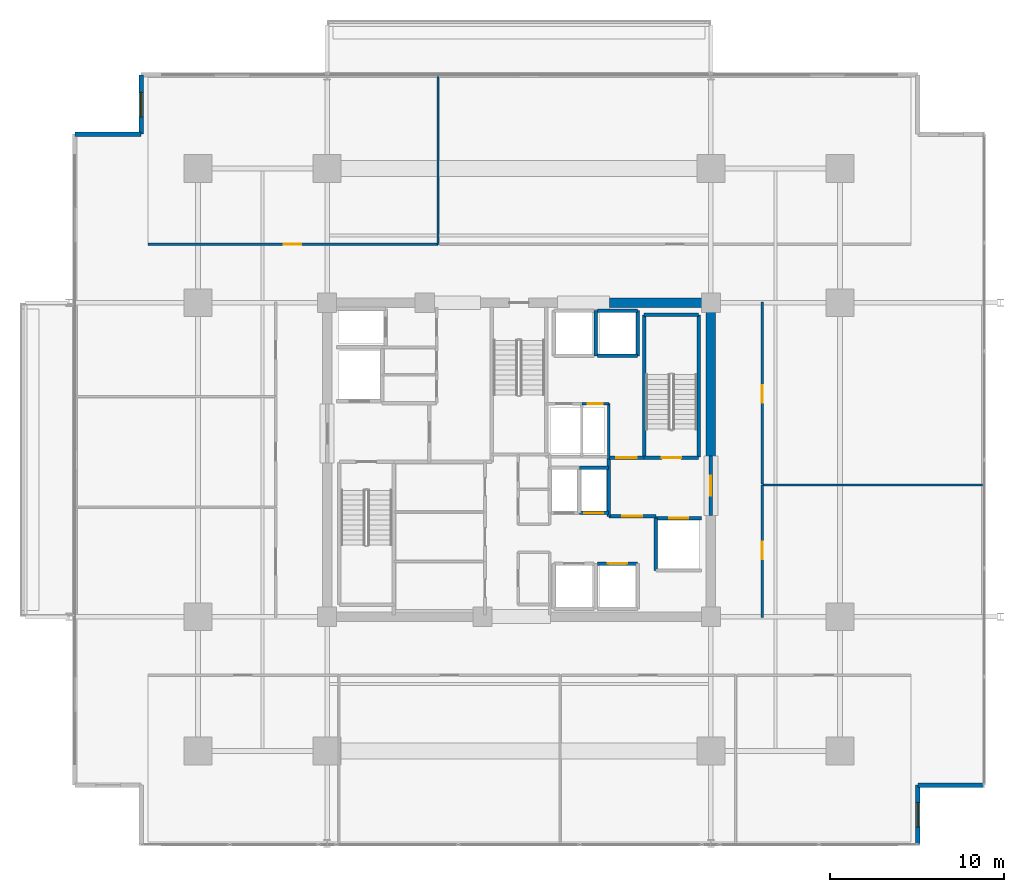
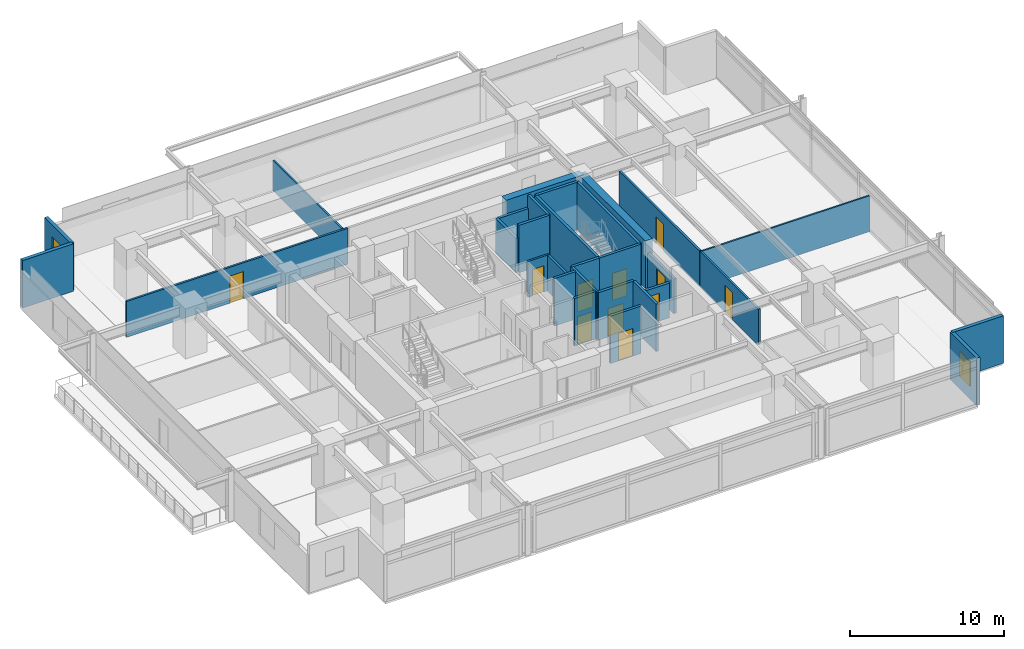
# One storey, part 15 of 20: 30 walls, 11 doors, 2 windows, 13 openings.
"""IFC4 building model written with IfcOpenShell, lengths in metres."""

from ifc_helpers import new_model, si_unit, direction, frame, frame_2d, origin, place, context, subcontext, project, spatial, rectangle, extrude, material, layer, layer_set, type_object, element, fill, save


model = new_model("IFC4")

# Units and contexts
model_context = context("Model", 3, precision=1e-05, world=origin(), true_north=direction((0.0, 1.0)))
body_context = subcontext(model_context, "Body", "Model", "MODEL_VIEW")
ifc_project = project(units=[si_unit("LENGTHUNIT", "METRE"), si_unit("AREAUNIT", "SQUARE_METRE"), si_unit("VOLUMEUNIT", "CUBIC_METRE"), si_unit("PLANEANGLEUNIT", "RADIAN"), si_unit("MASSUNIT", "GRAM", prefix="KILO")], contexts=[model_context])

# Site, building, storey
site_placement = place(None, origin())
site = spatial("IfcSite", under=ifc_project, at=site_placement, CompositionType="ELEMENT")
building_placement = place(site_placement, origin())
building = spatial("IfcBuilding", under=site, at=building_placement, Name="Kovane Verandah Tower", CompositionType="ELEMENT")
storey_placement = place(building_placement, frame((0.0, 0.0, 160.39990234375)))
storey = spatial("IfcBuildingStorey", under=building, at=storey_placement, Name="L37", CompositionType="ELEMENT", Elevation=160.39990234375)

# Wall
ifc_material_1 = material(Name="Fire-Rated Gypsum Stud Partition", Category="gypsum")
ifc_layer_1 = layer(ifc_material_1, 0.14990234375)
ifc_layer_set_1 = layer_set([ifc_layer_1], Name="Fire-Rated Gypsum Stud Partition")
wall_type_1 = type_object("IfcWallType", Name="WL-COR-150", PredefinedType="PARTITIONING", material=ifc_layer_set_1)
wall_1_placement = place(storey_placement, frame((45.14990234375, 27.6201171875, 0.0), z_axis=(0.0, 0.0, 1.0), x_axis=(0.0, 1.0, 0.0)))
element("IfcWall", 1, at=wall_1_placement, inside=storey, type_object=wall_type_1, Name="L37 East Core Service Riser East Wall", PredefinedType="PARTITIONING", context=body_context, shape_type="SweptSolid", body=[
    extrude(rectangle(XDim=3.099853515625, YDim=0.14990234375, at=frame_2d((1.5498046875, 0.0))), origin(), (0.0, 0.0, 1.0), 2.85009765625),
])

# Wall, opening, door
wall_2_placement = place(storey_placement, frame((43.60009765625, 30.719970703125, 0.0), z_axis=(0.0, 0.0, 1.0), x_axis=(1.0, 0.0, 0.0)))
wall_2 = element("IfcWall", 2, at=wall_2_placement, inside=storey, type_object=wall_type_1, Name="L37 Sprinkler Wet Riser Room Partition", PredefinedType="PARTITIONING", context=body_context, shape_type="SweptSolid", body=[
    extrude(rectangle(XDim=1.5498046875, YDim=0.14990234375, at=frame_2d((0.77490234375, 0.0))), origin(), (0.0, 0.0, 1.0), 2.85009765625),
])
opening_1_placement = place(wall_2_placement, frame((0.3349609375, 0.0, 0.0)))
opening_1 = element("IfcOpeningElement", 3, at=opening_1_placement, cuts=wall_2, Name="Opening DR-L37-019", PredefinedType="OPENING", context=body_context, shape_type="SweptSolid", body=[
    extrude(rectangle(XDim=0.8798828125, YDim=2.10009765625, at=frame_2d((0.43994140625, 1.050048828125))), frame((0.0, 0.074951171875, 0.0), z_axis=(0.0, -1.0, 0.0), x_axis=(1.0, 0.0, 0.0)), (0.0, 0.0, 1.0), 0.14990234375),
])
ifc_material_2 = material(Name="Fire-Rated Steel Riser Access Door", Category="steel")
door_type_1 = type_object("IfcDoorType", Name="DR-RISER-880", OperationType="SINGLE_SWING_LEFT", PredefinedType="DOOR", material=ifc_material_2)
door_1_placement = place(opening_1_placement, origin())
door_1 = element("IfcDoor", 4, at=door_1_placement, inside=storey, type_object=door_type_1, Name="L37 Sprinkler Wet Riser Room Door", OperationType="SINGLE_SWING_LEFT", OverallHeight=2.10009765625, OverallWidth=0.8798828125, PredefinedType="DOOR", context=body_context, shape_type="SweptSolid", body=[
    extrude(rectangle(XDim=0.8798828125, YDim=2.10009765625, at=frame_2d((0.43994140625, 1.050048828125))), frame((0.0, 0.02490234375, 0.0), z_axis=(0.0, -1.0, 0.0), x_axis=(1.0, 0.0, 0.0)), (0.0, 0.0, 1.0), 0.050048828125),
])
fill(opening_1, door_1)

wall_3_placement = place(storey_placement, frame((18.740966796875, 39.85009765625, 0.0), z_axis=(0.0, 0.0, 1.0), x_axis=(1.0, 0.0, 0.0)))
wall_3 = element("IfcWall", 5, at=wall_3_placement, inside=storey, type_object=wall_type_1, Name="L37 Focus Studio N1 Corridor Partition", PredefinedType="PARTITIONING", context=body_context, shape_type="SweptSolid", body=[
    extrude(rectangle(XDim=16.617919921875, YDim=0.14990234375, at=frame_2d((8.30908203125, 0.0))), origin(), (0.0, 0.0, 1.0), 2.85009765625),
])
opening_2_placement = place(wall_3_placement, frame((7.77392578125, 0.0, 0.0)))
opening_2 = element("IfcOpeningElement", 6, at=opening_2_placement, cuts=wall_3, Name="Opening DR-L37-020", PredefinedType="OPENING", context=body_context, shape_type="SweptSolid", body=[
    extrude(rectangle(XDim=1.0, YDim=2.14990234375, at=frame_2d((0.5, 1.074951171875))), frame((0.0, 0.074951171875, 0.0), z_axis=(0.0, -1.0, 0.0), x_axis=(1.0, 0.0, 0.0)), (0.0, 0.0, 1.0), 0.14990234375),
])
ifc_material_3 = material(Name="FSC Spotted-Gum Timber Fire-Rated Office Door", Category="wood")
door_type_2 = type_object("IfcDoorType", Name="DR-OFF-1000", OperationType="SINGLE_SWING_LEFT", PredefinedType="DOOR", material=ifc_material_3)
door_2_placement = place(opening_2_placement, origin())
door_2 = element("IfcDoor", 7, at=door_2_placement, inside=storey, type_object=door_type_2, Name="L37 Focus Studio N1 Entrance Door", OperationType="SINGLE_SWING_RIGHT", OverallHeight=2.14990234375, OverallWidth=1.0, PredefinedType="DOOR", context=body_context, shape_type="SweptSolid", body=[
    extrude(rectangle(XDim=1.0, YDim=2.14990234375, at=frame_2d((0.5, 1.074951171875))), frame((0.0, 0.02490234375, 0.0), z_axis=(0.0, -1.0, 0.0), x_axis=(1.0, 0.0, 0.0)), (0.0, 0.0, 1.0), 0.050048828125),
])
fill(opening_2, door_2)

wall_4_placement = place(storey_placement, frame((53.949951171875, 18.449951171875, 0.0), z_axis=(0.0, 0.0, 1.0), x_axis=(0.0, 1.0, 0.0)))
wall_4 = element("IfcWall", 8, at=wall_4_placement, inside=storey, type_object=wall_type_1, Name="L37 Breakout Pantry E1 Corridor Partition", PredefinedType="PARTITIONING", context=body_context, shape_type="SweptSolid", body=[
    extrude(rectangle(XDim=7.60205078125, YDim=0.14990234375, at=frame_2d((3.801025390625, 0.0))), origin(), (0.0, 0.0, 1.0), 2.85009765625),
])
opening_3_placement = place(wall_4_placement, frame((3.341064453125, 0.0, 0.0)))
opening_3 = element("IfcOpeningElement", 9, at=opening_3_placement, cuts=wall_4, Name="Opening DR-L37-013", PredefinedType="OPENING", context=body_context, shape_type="SweptSolid", body=[
    extrude(rectangle(XDim=1.0, YDim=2.14990234375, at=frame_2d((0.5, 1.074951171875))), frame((0.0, 0.074951171875, 0.0), z_axis=(0.0, -1.0, 0.0), x_axis=(1.0, 0.0, 0.0)), (0.0, 0.0, 1.0), 0.14990234375),
])
door_3_placement = place(opening_3_placement, origin())
door_3 = element("IfcDoor", 10, at=door_3_placement, inside=storey, type_object=door_type_2, Name="L37 Breakout Pantry E1 Entrance Door", OperationType="SINGLE_SWING_LEFT", OverallHeight=2.14990234375, OverallWidth=1.0, PredefinedType="DOOR", context=body_context, shape_type="SweptSolid", body=[
    extrude(rectangle(XDim=1.0, YDim=2.14990234375, at=frame_2d((0.5, 1.074951171875))), frame((0.0, 0.02490234375, 0.0), z_axis=(0.0, -1.0, 0.0), x_axis=(1.0, 0.0, 0.0)), (0.0, 0.0, 1.0), 0.050048828125),
])
fill(opening_3, door_3)

wall_5_placement = place(storey_placement, frame((53.949951171875, 26.1220703125, 0.0), z_axis=(0.0, 0.0, 1.0), x_axis=(0.0, 1.0, 0.0)))
wall_5 = element("IfcWall", 11, at=wall_5_placement, inside=storey, type_object=wall_type_1, Name="L37 Collaboration Hub E2 Corridor Partition", PredefinedType="PARTITIONING", context=body_context, shape_type="SweptSolid", body=[
    extrude(rectangle(XDim=10.427978515625, YDim=0.14990234375, at=frame_2d((5.2138671875, 0.0))), origin(), (0.0, 0.0, 1.0), 2.85009765625),
])
opening_4_placement = place(wall_5_placement, frame((4.638916015625, 0.0, 0.0)))
opening_4 = element("IfcOpeningElement", 12, at=opening_4_placement, cuts=wall_5, Name="Opening DR-L37-014", PredefinedType="OPENING", context=body_context, shape_type="SweptSolid", body=[
    extrude(rectangle(XDim=1.0, YDim=2.14990234375, at=frame_2d((0.5, 1.074951171875))), frame((0.0, 0.074951171875, 0.0), z_axis=(0.0, -1.0, 0.0), x_axis=(1.0, 0.0, 0.0)), (0.0, 0.0, 1.0), 0.14990234375),
])
door_4_placement = place(opening_4_placement, origin())
door_4 = element("IfcDoor", 13, at=door_4_placement, inside=storey, type_object=door_type_2, Name="L37 Collaboration Hub E2 Entrance Door", OperationType="SINGLE_SWING_RIGHT", OverallHeight=2.14990234375, OverallWidth=1.0, PredefinedType="DOOR", context=body_context, shape_type="SweptSolid", body=[
    extrude(rectangle(XDim=1.0, YDim=2.14990234375, at=frame_2d((0.5, 1.074951171875))), frame((0.0, 0.02490234375, 0.0), z_axis=(0.0, -1.0, 0.0), x_axis=(1.0, 0.0, 0.0)), (0.0, 0.0, 1.0), 0.050048828125),
])
fill(opening_4, door_4)

# Walls
ifc_material_4 = material(Name="Concrete C60/75", Category="concrete")
ifc_layer_2 = layer(ifc_material_4, 0.550048828125)
ifc_layer_set_2 = layer_set([ifc_layer_2], Name="Concrete C60/75")
wall_type_2 = type_object("IfcWallType", Name="WL-CORE-550", PredefinedType="SHEAR", material=ifc_layer_set_2)
wall_6_placement = place(storey_placement, frame((45.199951171875, 36.5, 0.0), z_axis=(0.0, 0.0, 1.0), x_axis=(1.0, 0.0, 0.0)))
element("IfcWall", 14, at=wall_6_placement, inside=storey, type_object=wall_type_2, Name="L37 Core Shear Wall CN-3", PredefinedType="SHEAR", context=body_context, shape_type="SweptSolid", body=[
    extrude(rectangle(XDim=5.800048828125, YDim=0.550048828125, at=frame_2d((2.89990234375, 0.0))), origin(), (0.0, 0.0, 1.0), 3.775146484375),
])
wall_7_placement = place(storey_placement, frame((51.0, 27.699951171875, 0.0), z_axis=(0.0, 0.0, 1.0), x_axis=(0.0, 1.0, 0.0)))
element("IfcWall", 15, at=wall_7_placement, inside=storey, type_object=wall_type_2, Name="L37 Core Shear Wall CE-2", PredefinedType="SHEAR", context=body_context, shape_type="SweptSolid", body=[
    extrude(rectangle(XDim=8.800048828125, YDim=0.550048828125, at=frame_2d((4.39990234375, 0.0))), origin(), (0.0, 0.0, 1.0), 3.775146484375),
])
ifc_material_5 = material(Name="Concrete C45/55 Fire Wall", Category="concrete")
ifc_layer_3 = layer(ifc_material_5, 0.199951171875)
ifc_layer_set_3 = layer_set([ifc_layer_3], Name="Concrete C45/55 Fire Wall")
wall_type_3 = type_object("IfcWallType", Name="WL-FFL-200", PredefinedType="PARTITIONING", material=ifc_layer_set_3)
wall_8_placement = place(storey_placement, frame((45.14990234375, 24.25, 0.0), z_axis=(0.0, 0.0, 1.0), x_axis=(0.0, 1.0, 0.0)))
element("IfcWall", 16, at=wall_8_placement, inside=storey, type_object=wall_type_3, Name="L37 East Firefighting Lobby West Fire Wall", PredefinedType="PARTITIONING", context=body_context, shape_type="SweptSolid", body=[
    extrude(rectangle(XDim=3.3701171875, YDim=0.199951171875, at=frame_2d((1.68505859375, 0.0))), origin(), (0.0, 0.0, 1.0), 3.775146484375),
])

# Wall, opening, door
wall_9_placement = place(storey_placement, frame((45.14990234375, 24.25, 0.0), z_axis=(0.0, 0.0, 1.0), x_axis=(1.0, 0.0, 0.0)))
wall_9 = element("IfcWall", 17, at=wall_9_placement, inside=storey, type_object=wall_type_3, Name="W-L37-FFLE-S", PredefinedType="PARTITIONING", context=body_context, shape_type="SweptSolid", body=[
    extrude(rectangle(XDim=2.7001953125, YDim=0.199951171875, at=frame_2d((1.35009765625, 0.0))), origin(), (0.0, 0.0, 1.0), 3.775146484375),
])
opening_5_placement = place(wall_9_placement, frame((0.77490234375, 0.0, 0.0)))
opening_5 = element("IfcOpeningElement", 18, at=opening_5_placement, cuts=wall_9, Name="Opening DR-L37-003", PredefinedType="OPENING", context=body_context, shape_type="SweptSolid", body=[
    extrude(rectangle(XDim=1.14990234375, YDim=2.199951171875, at=frame_2d((0.574951171875, 1.10009765625))), frame((0.0, 0.10009765625, 0.0), z_axis=(0.0, -1.0, 0.0), x_axis=(1.0, 0.0, 0.0)), (0.0, 0.0, 1.0), 0.199951171875),
])
ifc_material_6 = material(Name="Smoke-Sealed Firefighting Lobby Door", Category="steel")
door_type_3 = type_object("IfcDoorType", Name="DR-FFL-1150", OperationType="SINGLE_SWING_LEFT", PredefinedType="DOOR", material=ifc_material_6)
door_5_placement = place(opening_5_placement, origin())
door_5 = element("IfcDoor", 19, at=door_5_placement, inside=storey, type_object=door_type_3, Name="L37 East Firefighting Lobby Inner Door", OperationType="SINGLE_SWING_RIGHT", OverallHeight=2.199951171875, OverallWidth=1.14990234375, PredefinedType="DOOR", context=body_context, shape_type="SweptSolid", body=[
    extrude(rectangle(XDim=1.14990234375, YDim=2.199951171875, at=frame_2d((0.574951171875, 1.10009765625))), frame((0.0, 0.02490234375, 0.0), z_axis=(0.0, -1.0, 0.0), x_axis=(1.0, 0.0, 0.0)), (0.0, 0.0, 1.0), 0.050048828125),
])
fill(opening_5, door_5)

wall_10_placement = place(storey_placement, frame((45.14990234375, 27.6201171875, 0.0), z_axis=(0.0, 0.0, 1.0), x_axis=(1.0, 0.0, 0.0)))
wall_10 = element("IfcWall", 20, at=wall_10_placement, inside=storey, type_object=wall_type_3, Name="W-L37-FFLE-N", PredefinedType="PARTITIONING", context=body_context, shape_type="SweptSolid", body=[
    extrude(rectangle(XDim=2.030029296875, YDim=0.199951171875, at=frame_2d((1.01513671875, 0.0))), origin(), (0.0, 0.0, 1.0), 3.775146484375),
])
opening_6_placement = place(wall_10_placement, frame((0.43994140625, 0.0, 0.0)))
opening_6 = element("IfcOpeningElement", 21, at=opening_6_placement, cuts=wall_10, Name="Opening DR-L37-004", PredefinedType="OPENING", context=body_context, shape_type="SweptSolid", body=[
    extrude(rectangle(XDim=1.14990234375, YDim=2.199951171875, at=frame_2d((0.574951171875, 1.10009765625))), frame((0.0, 0.10009765625, 0.0), z_axis=(0.0, -1.0, 0.0), x_axis=(1.0, 0.0, 0.0)), (0.0, 0.0, 1.0), 0.199951171875),
])
door_6_placement = place(opening_6_placement, origin())
door_6 = element("IfcDoor", 22, at=door_6_placement, inside=storey, type_object=door_type_3, Name="L37 East Firefighting Lobby Shuttle Link Door", OperationType="SINGLE_SWING_LEFT", OverallHeight=2.199951171875, OverallWidth=1.14990234375, PredefinedType="DOOR", context=body_context, shape_type="SweptSolid", body=[
    extrude(rectangle(XDim=1.14990234375, YDim=2.199951171875, at=frame_2d((0.574951171875, 1.10009765625))), frame((0.0, 0.02490234375, 0.0), z_axis=(0.0, -1.0, 0.0), x_axis=(1.0, 0.0, 0.0)), (0.0, 0.0, 1.0), 0.050048828125),
])
fill(opening_6, door_6)

wall_11_placement = place(storey_placement, frame((51.0, 24.300048828125, 0.0), z_axis=(0.0, 0.0, 1.0), x_axis=(0.0, 1.0, 0.0)))
wall_11 = element("IfcWall", 23, at=wall_11_placement, inside=storey, type_object=wall_type_3, Name="W-L37-FFLE-OUT", PredefinedType="PARTITIONING", context=body_context, shape_type="SweptSolid", body=[
    extrude(rectangle(XDim=3.39990234375, YDim=0.199951171875, at=frame_2d((1.699951171875, 0.0))), origin(), (0.0, 0.0, 1.0), 2.755126953125),
])
opening_7_placement = place(wall_11_placement, frame((1.125, 0.0, 0.0)))
opening_7 = element("IfcOpeningElement", 24, at=opening_7_placement, cuts=wall_11, Name="Opening DR-L37-005", PredefinedType="OPENING", context=body_context, shape_type="SweptSolid", body=[
    extrude(rectangle(XDim=1.14990234375, YDim=2.199951171875, at=frame_2d((0.574951171875, 1.10009765625))), frame((0.0, 0.10009765625, 0.0), z_axis=(0.0, -1.0, 0.0), x_axis=(1.0, 0.0, 0.0)), (0.0, 0.0, 1.0), 0.199951171875),
])
door_7_placement = place(opening_7_placement, origin())
door_7 = element("IfcDoor", 25, at=door_7_placement, inside=storey, type_object=door_type_3, Name="L37 East Firefighting Lobby Corridor Door", OperationType="SINGLE_SWING_LEFT", OverallHeight=2.199951171875, OverallWidth=1.14990234375, PredefinedType="DOOR", context=body_context, shape_type="SweptSolid", body=[
    extrude(rectangle(XDim=1.14990234375, YDim=2.199951171875, at=frame_2d((0.574951171875, 1.10009765625))), frame((0.0, 0.02490234375, 0.0), z_axis=(0.0, -1.0, 0.0), x_axis=(1.0, 0.0, 0.0)), (0.0, 0.0, 1.0), 0.050048828125),
])
fill(opening_7, door_7)

ifc_material_7 = material(Name="Concrete C45/55 Lift Shaft Wall", Category="concrete")
ifc_layer_4 = layer(ifc_material_7, 0.199951171875)
ifc_layer_set_4 = layer_set([ifc_layer_4], Name="Concrete C45/55 Lift Shaft Wall")
wall_type_4 = type_object("IfcWallType", Name="WL-LIFT-200", PredefinedType="SOLIDWALL", material=ifc_layer_set_4)
wall_12_placement = place(storey_placement, frame((50.449951171875, 24.14990234375, 0.0), z_axis=(0.0, 0.0, 1.0), x_axis=(-1.0, 0.0, 0.0)))
wall_12 = element("IfcWall", 26, at=wall_12_placement, inside=storey, type_object=wall_type_4, Name="L37 Lift FL-02 N Shaft Wall", PredefinedType="SOLIDWALL", context=body_context, shape_type="SweptSolid", body=[
    extrude(rectangle(XDim=2.599853515625, YDim=0.199951171875, at=frame_2d((1.2998046875, 0.0))), origin(), (0.0, 0.0, 1.0), 2.755126953125),
])
opening_8_placement = place(wall_12_placement, frame((0.75, 0.0, 0.0)))
opening_8 = element("IfcOpeningElement", 27, at=opening_8_placement, cuts=wall_12, Name="Opening LD-L37-002", PredefinedType="OPENING", context=body_context, shape_type="SweptSolid", body=[
    extrude(rectangle(XDim=1.10009765625, YDim=2.199951171875, at=frame_2d((0.550048828125, 1.10009765625))), frame((0.0, 0.10009765625, 0.0), z_axis=(0.0, -1.0, 0.0), x_axis=(1.0, 0.0, 0.0)), (0.0, 0.0, 1.0), 0.199951171875),
])
ifc_material_8 = material(Name="Brushed Stainless Steel Sliding Lift Landing Door", Category="steel")
door_type_4 = type_object("IfcDoorType", Name="DR-LIFT-1100", OperationType="SLIDING_TO_RIGHT", PredefinedType="DOOR", material=ifc_material_8)
door_8_placement = place(opening_8_placement, origin())
door_8 = element("IfcDoor", 28, at=door_8_placement, inside=storey, type_object=door_type_4, Name="L37 Lift FL-02 Sliding Landing Door", OperationType="SLIDING_TO_RIGHT", OverallHeight=2.199951171875, OverallWidth=1.10009765625, PredefinedType="DOOR", context=body_context, shape_type="SweptSolid", body=[
    extrude(rectangle(XDim=1.10009765625, YDim=2.199951171875, at=frame_2d((0.550048828125, 1.10009765625))), frame((0.0, 0.02490234375, 0.0), z_axis=(0.0, -1.0, 0.0), x_axis=(1.0, 0.0, 0.0)), (0.0, 0.0, 1.0), 0.050048828125),
])
fill(opening_8, door_8)

# Wall
wall_13_placement = place(storey_placement, frame((47.85009765625, 24.14990234375, 0.0), z_axis=(0.0, 0.0, 1.0), x_axis=(0.0, -1.0, 0.0)))
element("IfcWall", 29, at=wall_13_placement, inside=storey, type_object=wall_type_4, Name="L37 Lift FL-02 W Shaft Wall", PredefinedType="SOLIDWALL", context=body_context, shape_type="SweptSolid", body=[
    extrude(rectangle(XDim=3.0, YDim=0.199951171875, at=frame_2d((1.5, 0.0))), origin(), (0.0, 0.0, 1.0), 3.775146484375),
])

# Wall, opening, door
wall_14_placement = place(storey_placement, frame((46.800048828125, 21.550048828125, 0.0), z_axis=(0.0, 0.0, 1.0), x_axis=(-1.0, 0.0, 0.0)))
wall_14 = element("IfcWall", 30, at=wall_14_placement, inside=storey, type_object=wall_type_4, Name="L37 Lift PL-M2 N Shaft Wall", PredefinedType="SOLIDWALL", context=body_context, shape_type="SweptSolid", body=[
    extrude(rectangle(XDim=2.300048828125, YDim=0.199951171875, at=frame_2d((1.14990234375, 0.0))), origin(), (0.0, 0.0, 1.0), 3.775146484375),
])
opening_9_placement = place(wall_14_placement, frame((0.60009765625, 0.0, 0.0)))
opening_9 = element("IfcOpeningElement", 31, at=opening_9_placement, cuts=wall_14, Name="Opening LD-L37-005", PredefinedType="OPENING", context=body_context, shape_type="SweptSolid", body=[
    extrude(rectangle(XDim=1.10009765625, YDim=2.199951171875, at=frame_2d((0.550048828125, 1.10009765625))), frame((0.0, 0.10009765625, 0.0), z_axis=(0.0, -1.0, 0.0), x_axis=(1.0, 0.0, 0.0)), (0.0, 0.0, 1.0), 0.199951171875),
])
door_9_placement = place(opening_9_placement, origin())
door_9 = element("IfcDoor", 32, at=door_9_placement, inside=storey, type_object=door_type_4, Name="L37 Lift PL-M2 Sliding Landing Door", OperationType="SLIDING_TO_RIGHT", OverallHeight=2.199951171875, OverallWidth=1.10009765625, PredefinedType="DOOR", context=body_context, shape_type="SweptSolid", body=[
    extrude(rectangle(XDim=1.10009765625, YDim=2.199951171875, at=frame_2d((0.550048828125, 1.10009765625))), frame((0.0, 0.02490234375, 0.0), z_axis=(0.0, -1.0, 0.0), x_axis=(1.0, 0.0, 0.0)), (0.0, 0.0, 1.0), 0.050048828125),
])
fill(opening_9, door_9)

wall_15_placement = place(storey_placement, frame((43.4599609375, 24.449951171875, 0.0), z_axis=(0.0, 0.0, 1.0), x_axis=(1.0, 0.0, 0.0)))
wall_15 = element("IfcWall", 33, at=wall_15_placement, inside=storey, type_object=wall_type_4, Name="L37 Lift PL-M4 S Shaft Wall", PredefinedType="SOLIDWALL", context=body_context, shape_type="SweptSolid", body=[
    extrude(rectangle(XDim=1.66015625, YDim=0.199951171875, at=frame_2d((0.830078125, 0.0))), origin(), (0.0, 0.0, 1.0), 3.775146484375),
])
opening_10_placement = place(wall_15_placement, frame((0.280029296875, 0.0, 0.0)))
opening_10 = element("IfcOpeningElement", 34, at=opening_10_placement, cuts=wall_15, Name="Opening LD-L37-007", PredefinedType="OPENING", context=body_context, shape_type="SweptSolid", body=[
    extrude(rectangle(XDim=1.10009765625, YDim=2.199951171875, at=frame_2d((0.550048828125, 1.10009765625))), frame((0.0, 0.10009765625, 0.0), z_axis=(0.0, -1.0, 0.0), x_axis=(1.0, 0.0, 0.0)), (0.0, 0.0, 1.0), 0.199951171875),
])
door_10_placement = place(opening_10_placement, origin())
door_10 = element("IfcDoor", 35, at=door_10_placement, inside=storey, type_object=door_type_4, Name="L37 Lift PL-M4 Sliding Landing Door", OperationType="SLIDING_TO_RIGHT", OverallHeight=2.199951171875, OverallWidth=1.10009765625, PredefinedType="DOOR", context=body_context, shape_type="SweptSolid", body=[
    extrude(rectangle(XDim=1.10009765625, YDim=2.199951171875, at=frame_2d((0.550048828125, 1.10009765625))), frame((0.0, 0.02490234375, 0.0), z_axis=(0.0, -1.0, 0.0), x_axis=(1.0, 0.0, 0.0)), (0.0, 0.0, 1.0), 0.050048828125),
])
fill(opening_10, door_10)

# Walls
wall_16_placement = place(storey_placement, frame((45.1201171875, 27.050048828125, 0.0), z_axis=(0.0, 0.0, 1.0), x_axis=(-1.0, 0.0, 0.0)))
element("IfcWall", 36, at=wall_16_placement, inside=storey, type_object=wall_type_4, Name="L37 Lift PL-M4 N Shaft Wall", PredefinedType="SOLIDWALL", context=body_context, shape_type="SweptSolid", body=[
    extrude(rectangle(XDim=1.66015625, YDim=0.199951171875, at=frame_2d((0.830078125, 0.0))), origin(), (0.0, 0.0, 1.0), 3.775146484375),
])
wall_17_placement = place(storey_placement, frame((44.39990234375, 33.449951171875, 0.0), z_axis=(0.0, 0.0, 1.0), x_axis=(0.0, 1.0, 0.0)))
element("IfcWall", 37, at=wall_17_placement, inside=storey, type_object=wall_type_4, Name="L37 Lift OL-01 and SL-01 Shared Shaft Wall", PredefinedType="SOLIDWALL", context=body_context, shape_type="SweptSolid", body=[
    extrude(rectangle(XDim=2.60009765625, YDim=0.199951171875, at=frame_2d((1.300048828125, 0.0))), origin(), (0.0, 0.0, 1.0), 2.755126953125),
])
wall_18_placement = place(storey_placement, frame((44.5, 33.449951171875, 0.0), z_axis=(0.0, 0.0, 1.0), x_axis=(1.0, 0.0, 0.0)))
element("IfcWall", 38, at=wall_18_placement, inside=storey, type_object=wall_type_4, Name="L37 Lift OL-01 S Shaft Wall", PredefinedType="SOLIDWALL", context=body_context, shape_type="SweptSolid", body=[
    extrude(rectangle(XDim=2.300048828125, YDim=0.199951171875, at=frame_2d((1.14990234375, 0.0))), origin(), (0.0, 0.0, 1.0), 3.775146484375),
])
wall_19_placement = place(storey_placement, frame((46.800048828125, 36.050048828125, 0.0), z_axis=(0.0, 0.0, 1.0), x_axis=(-1.0, 0.0, 0.0)))
element("IfcWall", 39, at=wall_19_placement, inside=storey, type_object=wall_type_4, Name="L37 Lift OL-01 N Shaft Wall", PredefinedType="SOLIDWALL", context=body_context, shape_type="SweptSolid", body=[
    extrude(rectangle(XDim=2.300048828125, YDim=0.199951171875, at=frame_2d((1.14990234375, 0.0))), origin(), (0.0, 0.0, 1.0), 2.755126953125),
])
wall_20_placement = place(storey_placement, frame((46.800048828125, 33.449951171875, 0.0), z_axis=(0.0, 0.0, 1.0), x_axis=(0.0, 1.0, 0.0)))
element("IfcWall", 40, at=wall_20_placement, inside=storey, type_object=wall_type_4, Name="L37 Lift OL-01 E Shaft Wall", PredefinedType="SOLIDWALL", context=body_context, shape_type="SweptSolid", body=[
    extrude(rectangle(XDim=2.60009765625, YDim=0.199951171875, at=frame_2d((1.300048828125, 0.0))), origin(), (0.0, 0.0, 1.0), 3.775146484375),
])
ifc_material_9 = material(Name="Acoustic Fire-Rated Gypsum Partition", Category="gypsum")
ifc_layer_5 = layer(ifc_material_9, 0.1201171875)
ifc_layer_set_5 = layer_set([ifc_layer_5], Name="Acoustic Fire-Rated Gypsum Partition")
wall_type_5 = type_object("IfcWallType", Name="WL-PART-120", PredefinedType="PARTITIONING", material=ifc_layer_set_5)
wall_21_placement = place(storey_placement, frame((35.35888671875, 39.85009765625, 0.0), z_axis=(0.0, 0.0, 1.0), x_axis=(0.0, 1.0, 0.0)))
element("IfcWall", 41, at=wall_21_placement, inside=storey, type_object=wall_type_5, Name="L37 Focus Studio N1 Dividing Partition", PredefinedType="PARTITIONING", context=body_context, shape_type="SweptSolid", body=[
    extrude(rectangle(XDim=9.611083984375, YDim=0.1201171875, at=frame_2d((4.8056640625, 0.0))), origin(), (0.0, 0.0, 1.0), 2.405029296875),
])
wall_22_placement = place(storey_placement, frame((53.949951171875, 26.052001953125, 0.0), z_axis=(0.0, 0.0, 1.0), x_axis=(1.0, 0.0, 0.0)))
element("IfcWall", 42, at=wall_22_placement, inside=storey, type_object=wall_type_5, Name="L37 Breakout Pantry E1 Dividing Partition", PredefinedType="PARTITIONING", context=body_context, shape_type="SweptSolid", body=[
    extrude(rectangle(XDim=12.62255859375, YDim=0.1201171875, at=frame_2d((6.311279296875, 0.0))), origin(), (0.0, 0.0, 1.0), 2.85009765625),
])
ifc_material_10 = material(Name="Concrete C45/55", Category="concrete")
ifc_layer_6 = layer(ifc_material_10, 0.199951171875)
ifc_layer_set_6 = layer_set([ifc_layer_6], Name="Concrete C45/55")
wall_type_6 = type_object("IfcWallType", Name="WL-SHAFT-200", PredefinedType="SOLIDWALL", material=ifc_layer_set_6)
wall_23_placement = place(storey_placement, frame((50.300048828125, 27.64990234375, 0.0), z_axis=(0.0, 0.0, 1.0), x_axis=(0.0, 1.0, 0.0)))
element("IfcWall", 43, at=wall_23_placement, inside=storey, type_object=wall_type_6, Name="W-L37-ST02-E", PredefinedType="SOLIDWALL", context=body_context, shape_type="SweptSolid", body=[
    extrude(rectangle(XDim=8.150146484375, YDim=0.199951171875, at=frame_2d((4.0751953125, 0.0))), origin(), (0.0, 0.0, 1.0), 3.775146484375),
])
wall_24_placement = place(storey_placement, frame((47.179931640625, 35.800048828125, 0.0), z_axis=(0.0, 0.0, 1.0), x_axis=(1.0, 0.0, 0.0)))
element("IfcWall", 44, at=wall_24_placement, inside=storey, type_object=wall_type_6, Name="W-L37-ST02-N", PredefinedType="SOLIDWALL", context=body_context, shape_type="SweptSolid", body=[
    extrude(rectangle(XDim=3.1201171875, YDim=0.199951171875, at=frame_2d((1.56005859375, 0.0))), origin(), (0.0, 0.0, 1.0), 3.775146484375),
])
wall_25_placement = place(storey_placement, frame((47.179931640625, 27.6201171875, 0.0), z_axis=(0.0, 0.0, 1.0), x_axis=(0.0, 1.0, 0.0)))
element("IfcWall", 45, at=wall_25_placement, inside=storey, type_object=wall_type_6, Name="W-L37-ST02-W", PredefinedType="SOLIDWALL", context=body_context, shape_type="SweptSolid", body=[
    extrude(rectangle(XDim=8.179931640625, YDim=0.199951171875, at=frame_2d((4.08984375, 0.0))), origin(), (0.0, 0.0, 1.0), 3.775146484375),
])

# Wall, opening, door
wall_26_placement = place(storey_placement, frame((47.179931640625, 27.6201171875, 0.0), z_axis=(0.0, 0.0, 1.0), x_axis=(1.0, 0.0, 0.0)))
wall_26 = element("IfcWall", 46, at=wall_26_placement, inside=storey, type_object=wall_type_6, Name="W-L37-ST02-S", PredefinedType="SOLIDWALL", context=body_context, shape_type="SweptSolid", body=[
    extrude(rectangle(XDim=3.1201171875, YDim=0.199951171875, at=frame_2d((1.56005859375, 0.0))), origin(), (0.0, 0.0, 1.0), 3.775146484375),
])
opening_11_placement = place(wall_26_placement, frame((1.010009765625, 0.0, 0.0)))
opening_11 = element("IfcOpeningElement", 47, at=opening_11_placement, cuts=wall_26, Name="Opening DR-L37-010", PredefinedType="OPENING", context=body_context, shape_type="SweptSolid", body=[
    extrude(rectangle(XDim=1.10009765625, YDim=2.14990234375, at=frame_2d((0.550048828125, 1.074951171875))), frame((0.0, 0.10009765625, 0.0), z_axis=(0.0, -1.0, 0.0), x_axis=(1.0, 0.0, 0.0)), (0.0, 0.0, 1.0), 0.199951171875),
])
ifc_material_11 = material(Name="Fire-Rated Steel Exit Door", Category="steel")
door_type_5 = type_object("IfcDoorType", Name="DR-STAIR-1100", OperationType="SINGLE_SWING_LEFT", PredefinedType="DOOR", material=ifc_material_11)
door_11_placement = place(opening_11_placement, origin())
door_11 = element("IfcDoor", 48, at=door_11_placement, inside=storey, type_object=door_type_5, Name="L37 ST-02 Fire Exit Stair Door", OperationType="SINGLE_SWING_LEFT", OverallHeight=2.14990234375, OverallWidth=1.10009765625, PredefinedType="DOOR", context=body_context, shape_type="SweptSolid", body=[
    extrude(rectangle(XDim=1.10009765625, YDim=2.14990234375, at=frame_2d((0.550048828125, 1.074951171875))), frame((0.0, 0.02490234375, 0.0), z_axis=(0.0, -1.0, 0.0), x_axis=(1.0, 0.0, 0.0)), (0.0, 0.0, 1.0), 0.050048828125),
])
fill(opening_11, door_11)

# Wall, opening, window
ifc_material_12 = material(Name="Concrete C45/55 Insulated Spandrel Wall", Category="concrete")
ifc_layer_7 = layer(ifc_material_12, 0.260009765625)
ifc_layer_set_7 = layer_set([ifc_layer_7], Name="Concrete C45/55 Insulated Spandrel Wall")
wall_type_7 = type_object("IfcWallType", Name="WL-SPANDREL-260", PredefinedType="PARAPET", material=ifc_layer_set_7)
wall_27_placement = place(storey_placement, frame((62.872314453125, 5.438720703125, 0.0), z_axis=(0.0, 0.0, 1.0), x_axis=(0.0, 1.0, 0.0)))
wall_27 = element("IfcWall", 49, at=wall_27_placement, inside=storey, type_object=wall_type_7, Name="L37 SE Notch Cheek Wall 1", PredefinedType="PARAPET", context=body_context, shape_type="SweptSolid", body=[
    extrude(rectangle(XDim=3.39990234375, YDim=0.260009765625, at=frame_2d((1.699951171875, 0.0))), origin(), (0.0, 0.0, 1.0), 3.775146484375),
])
opening_12_placement = place(wall_27_placement, frame((1.0, 0.0, 0.85009765625)))
opening_12 = element("IfcOpeningElement", 50, at=opening_12_placement, cuts=wall_27, Name="Opening W-01", PredefinedType="OPENING", context=body_context, shape_type="SweptSolid", body=[
    extrude(rectangle(XDim=1.39990234375, YDim=2.0, at=frame_2d((0.699951171875, 1.0))), frame((0.0, 0.1298828125, 0.0), z_axis=(0.0, -1.0, 0.0), x_axis=(1.0, 0.0, 0.0)), (0.0, 0.0, 1.0), 0.260009765625),
])
ifc_material_13 = material(Name="Clear Low-E Laminated Double Glazing in Anodised Frame", Category="glass")
window_type = type_object("IfcWindowType", Name="WN-OPER-1400x2000", PartitioningType="SINGLE_PANEL", PredefinedType="WINDOW", material=ifc_material_13)
window_1_placement = place(opening_12_placement, origin())
window_1 = element("IfcWindow", 51, at=window_1_placement, inside=storey, type_object=window_type, Name="L37 SE Re-Entrant Corner Operable Window", OverallHeight=2.0, OverallWidth=1.39990234375, PartitioningType="SINGLE_PANEL", PredefinedType="WINDOW", context=body_context, shape_type="SweptSolid", body=[
    extrude(rectangle(XDim=1.39990234375, YDim=2.0, at=frame_2d((0.699951171875, 1.0))), frame((0.0, 0.030029296875, 0.0), z_axis=(0.0, -1.0, 0.0), x_axis=(1.0, 0.0, 0.0)), (0.0, 0.0, 1.0), 0.06005859375),
])
fill(opening_12, window_1)

# Wall
wall_28_placement = place(storey_placement, frame((62.872314453125, 8.838623046875, 0.0), z_axis=(0.0, 0.0, 1.0), x_axis=(1.0, 0.0, 0.0)))
element("IfcWall", 52, at=wall_28_placement, inside=storey, type_object=wall_type_7, Name="L37 SE Notch Cheek Wall 2", PredefinedType="PARAPET", context=body_context, shape_type="SweptSolid", body=[
    extrude(rectangle(XDim=3.800048828125, YDim=0.260009765625, at=frame_2d((1.89990234375, 0.0))), origin(), (0.0, 0.0, 1.0), 3.775146484375),
])

# Wall, opening, window
wall_29_placement = place(storey_placement, frame((18.341064453125, 49.561279296875, 0.0), z_axis=(0.0, 0.0, 1.0), x_axis=(0.0, -1.0, 0.0)))
wall_29 = element("IfcWall", 53, at=wall_29_placement, inside=storey, type_object=wall_type_7, Name="L37 NW Notch Cheek Wall 1", PredefinedType="PARAPET", context=body_context, shape_type="SweptSolid", body=[
    extrude(rectangle(XDim=3.39990234375, YDim=0.260009765625, at=frame_2d((1.699951171875, 0.0))), origin(), (0.0, 0.0, 1.0), 3.775146484375),
])
opening_13_placement = place(wall_29_placement, frame((1.0, 0.0, 0.85009765625)))
opening_13 = element("IfcOpeningElement", 54, at=opening_13_placement, cuts=wall_29, Name="Opening W-01", PredefinedType="OPENING", context=body_context, shape_type="SweptSolid", body=[
    extrude(rectangle(XDim=1.39990234375, YDim=2.0, at=frame_2d((0.699951171875, 1.0))), frame((0.0, 0.1298828125, 0.0), z_axis=(0.0, -1.0, 0.0), x_axis=(1.0, 0.0, 0.0)), (0.0, 0.0, 1.0), 0.260009765625),
])
window_2_placement = place(opening_13_placement, origin())
window_2 = element("IfcWindow", 55, at=window_2_placement, inside=storey, type_object=window_type, Name="L37 NW Re-Entrant Corner Operable Window", OverallHeight=2.0, OverallWidth=1.39990234375, PartitioningType="SINGLE_PANEL", PredefinedType="WINDOW", context=body_context, shape_type="SweptSolid", body=[
    extrude(rectangle(XDim=1.39990234375, YDim=2.0, at=frame_2d((0.699951171875, 1.0))), frame((0.0, 0.030029296875, 0.0), z_axis=(0.0, -1.0, 0.0), x_axis=(1.0, 0.0, 0.0)), (0.0, 0.0, 1.0), 0.06005859375),
])
fill(opening_13, window_2)

# Wall
wall_30_placement = place(storey_placement, frame((18.341064453125, 46.161376953125, 0.0), z_axis=(0.0, 0.0, 1.0), x_axis=(-1.0, 0.0, 0.0)))
element("IfcWall", 56, at=wall_30_placement, inside=storey, type_object=wall_type_7, Name="L37 NW Notch Cheek Wall 2", PredefinedType="PARAPET", context=body_context, shape_type="SweptSolid", body=[
    extrude(rectangle(XDim=3.800048828125, YDim=0.260009765625, at=frame_2d((1.89990234375, 0.0))), origin(), (0.0, 0.0, 1.0), 3.775146484375),
])

save(model, "model.ifc")
